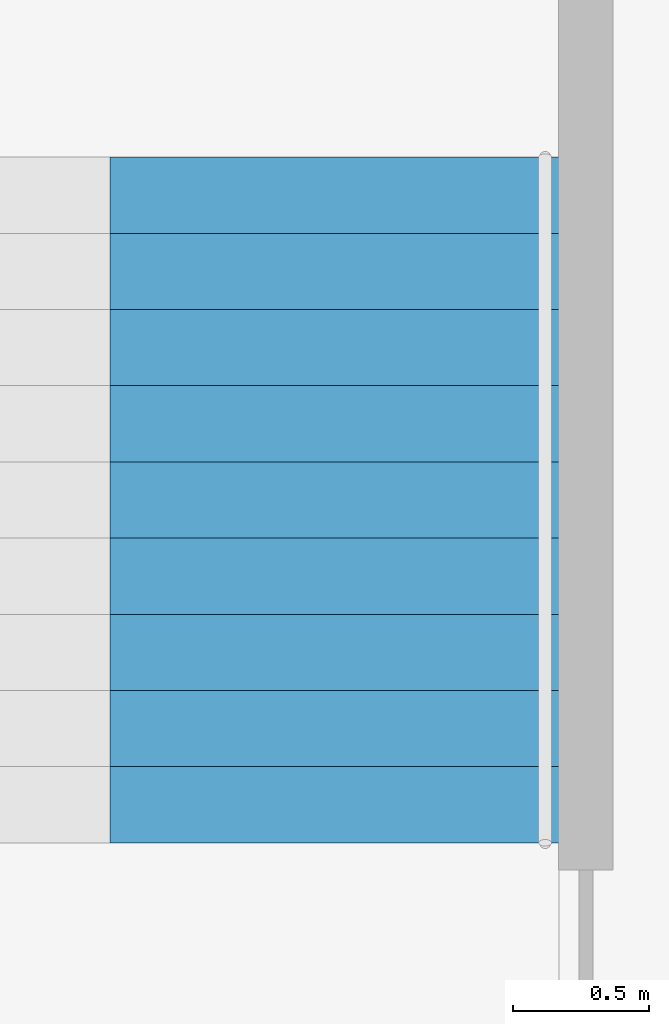
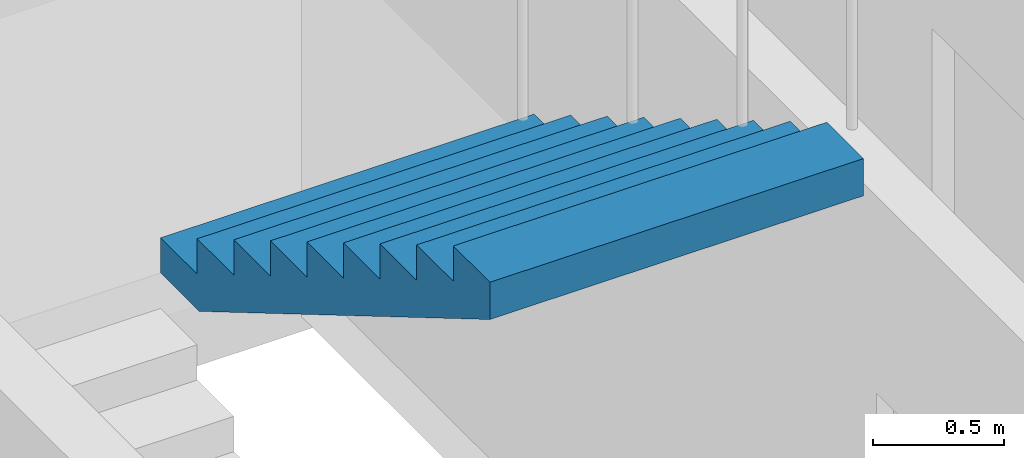
# One storey, part 9 of 12: 1 stair flight, 1 element without a shape of its own.
"""IFC4 building model written with IfcOpenShell, lengths in metres."""

from ifc_helpers import new_model, si_unit, direction, frame, origin, place, context, subcontext, project, spatial, polyline, outline, extrude, material, type_object, element, aggregate, save


model = new_model("IFC4")

# Units and contexts
model_context = context("Model", 3, precision=1e-05, world=origin(), true_north=direction((0.0, 1.0)))
body_context = subcontext(model_context, "Body", "Model", "MODEL_VIEW")
ifc_project = project(units=[si_unit("LENGTHUNIT", "METRE"), si_unit("AREAUNIT", "SQUARE_METRE"), si_unit("VOLUMEUNIT", "CUBIC_METRE"), si_unit("PLANEANGLEUNIT", "RADIAN"), si_unit("MASSUNIT", "GRAM", prefix="KILO")], contexts=[model_context])

# Site, building, storey
site_placement = place(None, origin())
site = spatial("IfcSite", under=ifc_project, at=site_placement, CompositionType="ELEMENT")
building_placement = place(site_placement, origin())
building = spatial("IfcBuilding", under=site, at=building_placement, Name="Taillehof Tower", CompositionType="ELEMENT")
storey_placement = place(building_placement, frame((0.0, 0.0, 246.5)))
storey = spatial("IfcBuildingStorey", under=building, at=storey_placement, Name="L70", CompositionType="ELEMENT", Elevation=246.5)

# Stair, stair flight
ifc_material_1 = material(Name="Concrete C40/50", Category="concrete")
stair_type = type_object("IfcStairType", Name="Exit stair half-turn", PredefinedType="HALF_TURN_STAIR", material=ifc_material_1)
stair_placement = place(storey_placement, origin())
stair = element("IfcStair", 1, at=stair_placement, inside=storey, type_object=stair_type, Name="Exit stair S3", PredefinedType="HALF_TURN_STAIR")
ifc_material_2 = material(Name="Concrete C40/50", Category="concrete")
stair_flight_type = type_object("IfcStairFlightType", Name="Stair flight 1650 riser 165.0 going 280", PredefinedType="STRAIGHT", material=ifc_material_2)
stair_flight_placement = place(storey_placement, frame((-11.77490234375, 11.969970703125, 1.64990234375), z_axis=(0.0, 0.0, 1.0), x_axis=(0.0, -1.0, 0.0)))
stair_flight = element("IfcStairFlight", 2, at=stair_flight_placement, type_object=stair_flight_type, Name="S3 flight 2", NumberOfRisers=10, NumberOfTreads=9, PredefinedType="STRAIGHT", RiserHeight=0.165, TreadLength=0.28, context=body_context, shape_type="SweptSolid", body=[
    extrude(outline(polyline([(0.0, 0.0), (0.0, 0.00537109375), (0.0, 0.0107421875), (0.0, 0.015869140625), (0.0, 0.021240234375), (0.0, 0.026611328125), (0.0, 0.031982421875), (0.0, 0.037353515625), (0.0, 0.04248046875), (0.0, 0.0478515625), (0.0, 0.05322265625), (0.0, 0.05859375), (0.0, 0.06396484375), (0.0, 0.069091796875), (0.0, 0.074462890625), (0.0, 0.079833984375), (0.0, 0.085205078125), (0.0, 0.090576171875), (0.0, 0.095703125), (0.0, 0.10107421875), (0.0, 0.1064453125), (0.0, 0.11181640625), (0.0, 0.1171875), (0.0, 0.122314453125), (0.0, 0.127685546875), (0.0, 0.133056640625), (0.0, 0.138427734375), (0.0, 0.143798828125), (0.0, 0.14892578125), (0.0, 0.154296875), (0.0, 0.15966796875), (0.0, 0.1650390625), (0.280029296875, 0.1650390625), (0.280029296875, 0.330078125), (0.56005859375, 0.330078125), (0.56005859375, 0.4951171875), (0.840087890625, 0.4951171875), (0.840087890625, 0.659912109375), (1.1201171875, 0.659912109375), (1.1201171875, 0.824951171875), (1.39990234375, 0.824951171875), (1.39990234375, 0.989990234375), (1.679931640625, 0.989990234375), (1.679931640625, 1.155029296875), (1.9599609375, 1.155029296875), (1.9599609375, 1.320068359375), (2.239990234375, 1.320068359375), (2.239990234375, 1.485107421875), (2.52001953125, 1.485107421875), (2.52001953125, 1.4794921875), (2.52001953125, 1.473876953125), (2.52001953125, 1.46826171875), (2.52001953125, 1.462646484375), (2.52001953125, 1.45703125), (2.52001953125, 1.451416015625), (2.52001953125, 1.44580078125), (2.52001953125, 1.440185546875), (2.52001953125, 1.4345703125), (2.52001953125, 1.428955078125), (2.52001953125, 1.42333984375), (2.52001953125, 1.417724609375), (2.52001953125, 1.412109375), (2.52001953125, 1.406494140625), (2.52001953125, 1.40087890625), (2.52001953125, 1.395263671875), (2.52001953125, 1.3896484375), (2.52001953125, 1.384033203125), (2.52001953125, 1.37841796875), (2.52001953125, 1.372802734375), (2.52001953125, 1.3671875), (2.52001953125, 1.361572265625), (2.52001953125, 1.35595703125), (2.52001953125, 1.350341796875), (2.52001953125, 1.3447265625), (2.52001953125, 1.339111328125), (2.52001953125, 1.33349609375), (2.52001953125, 1.327880859375), (2.52001953125, 1.322265625), (2.52001953125, 1.316650390625), (2.52001953125, 1.31103515625), (0.295166015625, 0.0), (0.0, 0.0)])), frame((0.0, 0.824951171875, 0.0), z_axis=(0.0, -1.0, 0.0), x_axis=(1.0, 0.0, 0.0)), (0.0, 0.0, 1.0), 1.65),
])
aggregate(stair, [stair_flight])

save(model, "model.ifc")
